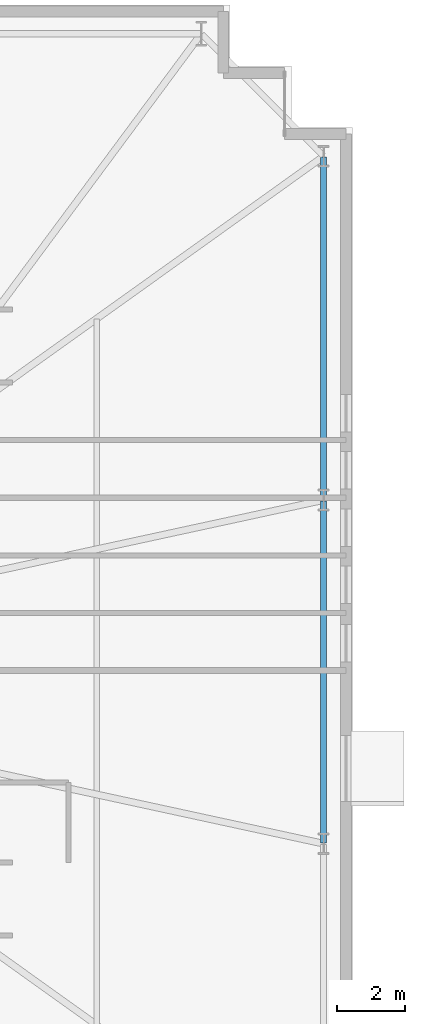
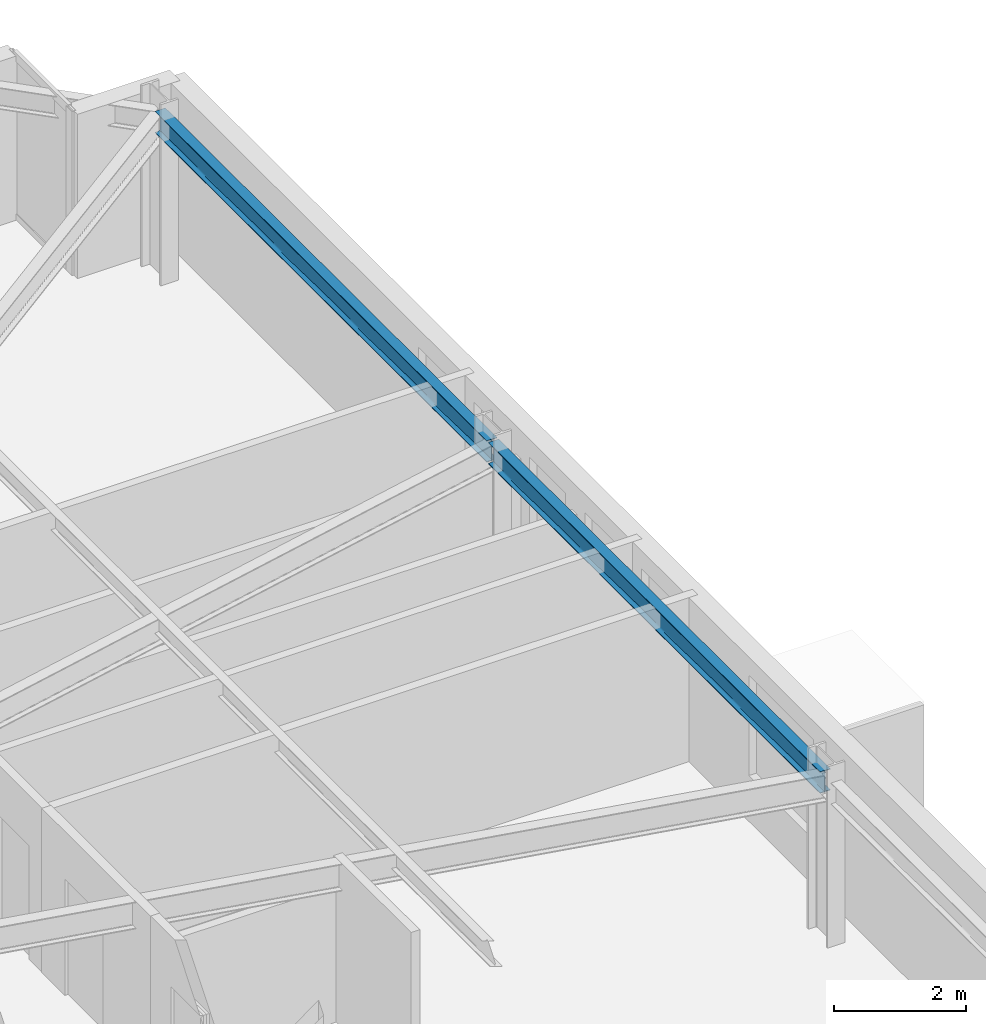
# One storey, part 15 of 24: 2 beams.
"""IFC4 building model written with IfcOpenShell, lengths in metres."""

import ifcopenshell
import ifcopenshell.guid

model = None  # the IFC model being written
_history = None  # IfcOwnerHistory: only IFC2X3 demands one
_inside = {}  # id of a spatial element -> (the spatial element, [elements in it])
_under = {}  # id of a project, library or spatial element -> (it, [spatial elements below it])
_declared = {}  # id of a project -> (the project, [libraries it declares])
_typed = {}  # id of a type object -> (the type object, [elements of that type])
_made_of = {}  # id of a material, layer set ... -> (it, [elements and type objects made of it])


def new_model(schema):
    """Start an empty IFC model of exactly this schema.

    Asked for "IFC4X3", IfcOpenShell would pick the latest addendum, in which some entities
    have other attributes; the version numbers below select the first issue.
    IFC2X3 requires an IfcOwnerHistory on every rooted entity: one is made here for all.
    """
    global model, _history
    if schema == "IFC4X3":
        model = ifcopenshell.file(schema_version=(4, 3, 0, 0))
    else:
        model = ifcopenshell.file(schema=schema)
    _inside.clear()
    _under.clear()
    _declared.clear()
    _typed.clear()
    _made_of.clear()
    _history = None
    if model.schema == "IFC2X3":
        org = make("IfcOrganization", Name="unknown")
        user = make(
            "IfcPersonAndOrganization",
            ThePerson=make("IfcPerson", FamilyName="unknown"),
            TheOrganization=org,
        )
        app = make(
            "IfcApplication",
            ApplicationDeveloper=org,
            Version="unknown",
            ApplicationFullName="unknown",
            ApplicationIdentifier="unknown",
        )
        _history = make(
            "IfcOwnerHistory",
            OwningUser=user,
            OwningApplication=app,
            ChangeAction="ADDED",
            CreationDate=0,
        )
    return model


def make(cls, **values):
    """One entity of the class cls with the attributes given. An attribute that is None is left unset."""
    return model.create_entity(
        cls, **{name: value for name, value in values.items() if value is not None}
    )


def rooted(cls, **values):
    """An entity with a GlobalId (a new one), such as an element, a storey or a relation."""
    return make(cls, GlobalId=ifcopenshell.guid.new(), OwnerHistory=_history, **values)


def si_unit(unit_type, name, prefix=None):
    """IfcSIUnit, for example si_unit("LENGTHUNIT", "METRE", prefix="MILLI")."""
    return make("IfcSIUnit", UnitType=unit_type, Prefix=prefix, Name=name)


def assignment(units):
    """IfcUnitAssignment: the units of a project."""
    return None if units is None else make("IfcUnitAssignment", Units=units)


def point(xyz):
    """IfcCartesianPoint."""
    return None if xyz is None else make("IfcCartesianPoint", Coordinates=xyz)


def direction(xyz):
    """IfcDirection."""
    return None if xyz is None else make("IfcDirection", DirectionRatios=xyz)


def frame(location, z_axis=None, x_axis=None):
    """IfcAxis2Placement3D, a coordinate frame: its origin and axes. An axis left out is left unset."""
    return make(
        "IfcAxis2Placement3D",
        Location=point(location),
        Axis=direction(z_axis),
        RefDirection=direction(x_axis),
    )


def frame_2d(location, x_axis=None):
    """IfcAxis2Placement2D, a coordinate frame in the plane: its origin and x axis."""
    return make(
        "IfcAxis2Placement2D", Location=point(location), RefDirection=direction(x_axis)
    )


def origin():
    """The frame at (0, 0, 0) with its axes left unset."""
    return frame((0.0, 0.0, 0.0))


def origin_2d():
    """The frame at (0, 0) in the plane with its x axis left unset."""
    return frame_2d((0.0, 0.0))


def place(relative_to, where):
    """IfcLocalPlacement: puts the frame where relative to a parent placement (None: the world)."""
    return make(
        "IfcLocalPlacement", PlacementRelTo=relative_to, RelativePlacement=where
    )


def context(
    kind, dimensions, precision=None, world=None, true_north=None, identifier=None
):
    """IfcGeometricRepresentationContext, for example the 3D "Model" context."""
    return make(
        "IfcGeometricRepresentationContext",
        ContextIdentifier=identifier,
        ContextType=kind,
        CoordinateSpaceDimension=dimensions,
        Precision=precision,
        WorldCoordinateSystem=world,
        TrueNorth=true_north,
    )


def subcontext(parent, identifier, kind, view, scale=None):
    """IfcGeometricRepresentationSubContext, for example "Body" below "Model"."""
    return make(
        "IfcGeometricRepresentationSubContext",
        ContextIdentifier=identifier,
        ContextType=kind,
        ParentContext=parent,
        TargetScale=scale,
        TargetView=view,
    )


def project(units=None, contexts=None):
    """IfcProject with its units and contexts."""
    return rooted(
        "IfcProject",
        Name="project",
        RepresentationContexts=contexts,
        UnitsInContext=assignment(units),
    )


def spatial(cls, under=None, at=None, **own):
    """A site, building, storey or space (cls), placed at a placement, below another one or the project."""
    s = rooted(cls, ObjectPlacement=at, **own)
    if under is not None:
        _under.setdefault(under.id(), (under, []))[1].append(s)
    return s


def profile(cls, at=None, kind="AREA", **sizes):
    """A parametric profile (cls). Its sizes go by their IFC names, for example OverallWidth=200.0."""
    return make(cls, ProfileType=kind, Position=at, **sizes)


def i_section(**sizes):
    """IfcIShapeProfileDef."""
    return profile("IfcIShapeProfileDef", **sizes)


def extrude(swept, where, along, depth):
    """IfcExtrudedAreaSolid: the profile swept, set in the frame where, extruded along a direction by depth."""
    return make(
        "IfcExtrudedAreaSolid",
        SweptArea=swept,
        Position=where,
        ExtrudedDirection=direction(along),
        Depth=depth,
    )


def shape(context_of_items, identifier, shape_type, items):
    """IfcShapeRepresentation: the items that make up one representation, for example the "Body"."""
    return make(
        "IfcShapeRepresentation",
        ContextOfItems=context_of_items,
        RepresentationIdentifier=identifier,
        RepresentationType=shape_type,
        Items=items,
    )


def material(Name=None, Category=None):
    """IfcMaterial."""
    return make("IfcMaterial", Name=Name, Category=Category)


def material_profile(
    of_material, cross_section, Name=None, Category=None, Priority=None
):
    """IfcMaterialProfile: a cross section and its material."""
    return make(
        "IfcMaterialProfile",
        Name=Name,
        Material=of_material,
        Profile=cross_section,
        Priority=Priority,
        Category=Category,
    )


def profile_set(profiles, Name=None, composite=None):
    """IfcMaterialProfileSet."""
    return make(
        "IfcMaterialProfileSet",
        Name=Name,
        MaterialProfiles=profiles,
        CompositeProfile=composite,
    )


def made_of(thing, what):
    """Note that an element or type object is made of a material, layer set ...; save() writes the relation."""
    if what is not None:
        _made_of.setdefault(what.id(), (what, []))[1].append(thing)
    return thing


def type_object(cls, material=None, **own):
    """A type object (cls), such as IfcWallType, which elements share."""
    return made_of(rooted(cls, **own), material)


def element(
    cls,
    number,
    at=None,
    inside=None,
    cuts=None,
    type_object=None,
    material=None,
    context=None,
    identifier="Body",
    shape_type=None,
    held_by="IfcProductDefinitionShape",
    body=None,
    shapes=None,
    **own,
):
    """One element of the class cls, such as IfcWall. Its Tag is "e" and its number.

    at: its placement. inside: the storey or other place that contains it. cuts: it is an
    opening in that element (IfcRelVoidsElement). A single representation is given by context,
    identifier, shape_type and body (its items); several are given by shapes. held_by: the class
    of the entity that holds the representations. save() writes the other relations.
    """
    e = rooted(cls, Tag="e%d" % number, ObjectPlacement=at, **own)
    if body is not None:
        shapes = [shape(context, identifier, shape_type, body)]
    if shapes is not None:
        e.Representation = make(held_by, Representations=shapes)
    if inside is not None:
        _inside.setdefault(inside.id(), (inside, []))[1].append(e)
    if cuts is not None:
        rooted(
            "IfcRelVoidsElement", RelatingBuildingElement=cuts, RelatedOpeningElement=e
        )
    if type_object is not None:
        _typed.setdefault(type_object.id(), (type_object, []))[1].append(e)
    return made_of(e, material)


def aggregate(whole, parts):
    """IfcRelAggregates: a whole, such as a stair, and the parts it consists of."""
    return rooted("IfcRelAggregates", RelatingObject=whole, RelatedObjects=parts)


def save(model, path):
    """Write the relations noted so far, then the file.

    IfcRelAggregates (storeys below a building ...), IfcRelContainedInSpatialStructure (elements
    in a storey), IfcRelDefinesByType, IfcRelAssociatesMaterial and IfcRelDeclares: one each for
    every whole, place, type object, material and project.
    """
    for whole, parts in _under.values():
        aggregate(whole, parts)
    for where, things in _inside.values():
        rooted(
            "IfcRelContainedInSpatialStructure",
            RelatedElements=things,
            RelatingStructure=where,
        )
    for kind, things in _typed.values():
        rooted("IfcRelDefinesByType", RelatedObjects=things, RelatingType=kind)
    for what, things in _made_of.values():
        rooted("IfcRelAssociatesMaterial", RelatedObjects=things, RelatingMaterial=what)
    for by, libraries in _declared.values():
        rooted("IfcRelDeclares", RelatingContext=by, RelatedDefinitions=libraries)
    model.write(path)


model = new_model("IFC4")

# Units and contexts
model_context = context("Model", 3, precision=1e-05, world=origin(), true_north=direction((0.0, 1.0)))
body_context = subcontext(model_context, "Body", "Model", "MODEL_VIEW")
ifc_project = project(units=[si_unit("LENGTHUNIT", "METRE"), si_unit("AREAUNIT", "SQUARE_METRE"), si_unit("VOLUMEUNIT", "CUBIC_METRE"), si_unit("PLANEANGLEUNIT", "RADIAN"), si_unit("MASSUNIT", "GRAM", prefix="KILO")], contexts=[model_context])

# Site, building, storey
site_placement = place(None, origin())
site = spatial("IfcSite", under=ifc_project, at=site_placement, CompositionType="ELEMENT")
building_placement = place(site_placement, origin())
building = spatial("IfcBuilding", under=site, at=building_placement, Name="Qobustan Lattice House", CompositionType="ELEMENT")
storey_placement = place(building_placement, frame((0.0, 0.0, 43.75)))
storey = spatial("IfcBuildingStorey", under=building, at=storey_placement, Name="L11", CompositionType="ELEMENT", Elevation=43.75)

# Beams
ifc_material = material(Name="Steel S355", Category="steel")
ifc_material_profile = material_profile(ifc_material, i_section(OverallWidth=0.179931640625, OverallDepth=0.39990234375, WebThickness=0.008544921875, FlangeThickness=0.013427734375, FilletRadius=0.02099609375, at=origin_2d()), Name="IPE400")
ifc_profile_set = profile_set([ifc_material_profile], Name="Steel S355")
beam_type = type_object("IfcBeamType", Name="BM-SPD-IPE400", PredefinedType="SPANDREL", material=ifc_profile_set)
beam_1_placement = place(storey_placement, frame((32.14990234375, -5.02490234375, 2.8349609375), z_axis=(0.0, 1.0, 0.0), x_axis=(-1.0, 0.0, 0.0)))
element("IfcBeam", 1, at=beam_1_placement, inside=storey, type_object=beam_type, Name="L11 perimeter spandrel E2-E3", PredefinedType="SPANDREL", context=body_context, shape_type="SweptSolid", body=[
    extrude(i_section(OverallWidth=0.179931640625, OverallDepth=0.39990234375, WebThickness=0.008544921875, FlangeThickness=0.013427734375, FilletRadius=0.02099609375, at=origin_2d()), origin(), (0.0, 0.0, 1.0), 10.0498046875),
])
beam_2_placement = place(storey_placement, frame((32.14990234375, 5.074951171875, 2.8349609375), z_axis=(0.0, 1.0, 0.0), x_axis=(-1.0, 0.0, 0.0)))
element("IfcBeam", 2, at=beam_2_placement, inside=storey, type_object=beam_type, Name="L11 perimeter spandrel E3-E4", PredefinedType="SPANDREL", context=body_context, shape_type="SweptSolid", body=[
    extrude(i_section(OverallWidth=0.179931640625, OverallDepth=0.39990234375, WebThickness=0.008544921875, FlangeThickness=0.013427734375, FilletRadius=0.02099609375, at=origin_2d()), origin(), (0.0, 0.0, 1.0), 10.050048828125),
])

save(model, "model.ifc")
